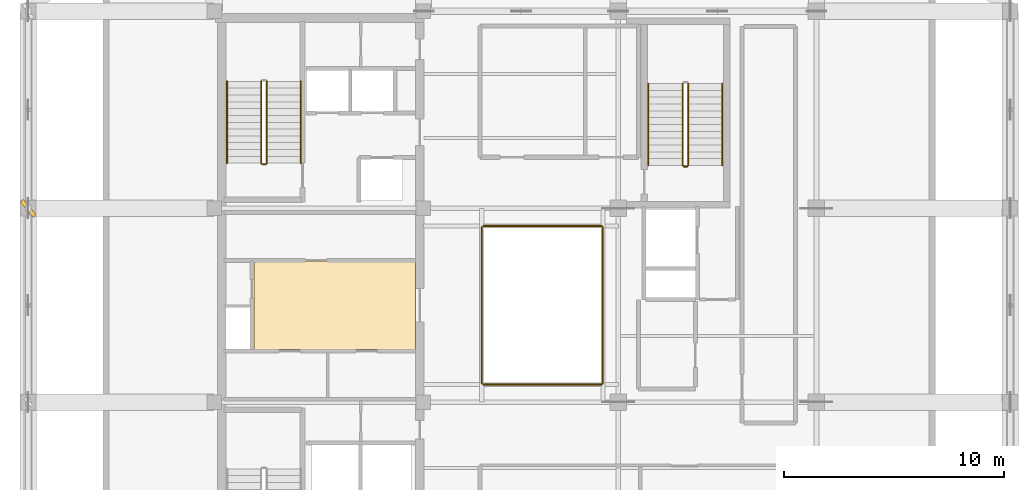
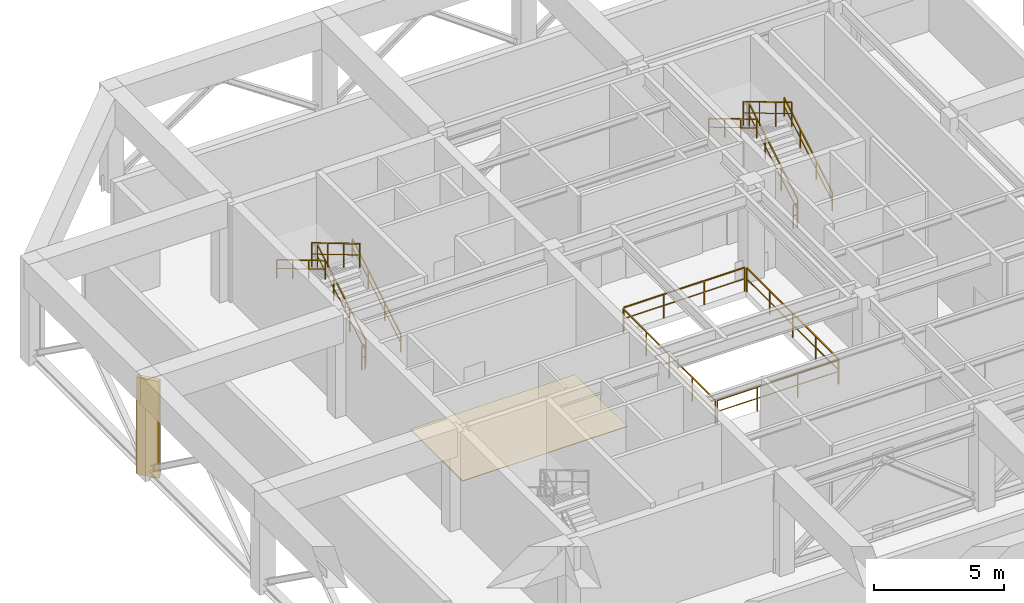
# One storey, part 8 of 10: 14 railings, 1 covering, 1 shading device.
"""IFC4 building model written with IfcOpenShell, lengths in metres."""

from ifc_helpers import new_model, si_unit, direction, frame, origin, origin_2d, place, context, subcontext, project, spatial, polyline, rectangle, outline, extrude, material, layer, layer_set, type_object, element, save


model = new_model("IFC4")

# Units and contexts
model_context = context("Model", 3, precision=1e-05, world=origin(), true_north=direction((0.0, 1.0)))
body_context = subcontext(model_context, "Body", "Model", "MODEL_VIEW")
ifc_project = project(units=[si_unit("LENGTHUNIT", "METRE"), si_unit("AREAUNIT", "SQUARE_METRE"), si_unit("VOLUMEUNIT", "CUBIC_METRE"), si_unit("PLANEANGLEUNIT", "RADIAN"), si_unit("MASSUNIT", "GRAM", prefix="KILO")], contexts=[model_context])

# Site, building, storey
site_placement = place(None, origin())
site = spatial("IfcSite", under=ifc_project, at=site_placement, CompositionType="ELEMENT")
building_placement = place(site_placement, origin())
building = spatial("IfcBuilding", under=site, at=building_placement, Name="Kundavana Baori Tower", CompositionType="ELEMENT")
storey_placement = place(building_placement, frame((0.0, 0.0, 307.699951171875)))
storey = spatial("IfcBuildingStorey", under=building, at=storey_placement, Name="L76", CompositionType="ELEMENT", Elevation=307.699951171875)

# Covering
ifc_material_1 = material(Name="Honed Kota Stone and Terrazzo Flooring", Category="masonry")
ifc_layer = layer(ifc_material_1, 0.030029296875, Name="COV-INT-FLR")
ifc_layer_set = layer_set([ifc_layer], Name="Honed Kota Stone and Terrazzo Flooring")
covering_type = type_object("IfcCoveringType", Name="COV-INT-FLR", PredefinedType="FLOORING", material=ifc_layer_set)
covering_placement = place(storey_placement, origin())
element("IfcCovering", 1, at=covering_placement, inside=storey, type_object=covering_type, Name="L76 Core Lift Lobby Kota Stone Flooring", PredefinedType="FLOORING", context=body_context, shape_type="SweptSolid", body=[
    extrude(outline(polyline([(17.25, 26.580078125), (24.580078125, 26.580078125), (24.580078125, 30.60009765625), (17.25, 30.60009765625), (17.25, 26.580078125)])), origin(), (0.0, 0.0, 1.0), 0.030029296875),
])

# Railings
ifc_material_2 = material(Name="Architectural Patinated Bronze Metalwork")
railing_type_1 = type_object("IfcRailingType", Name="RL-GRD-1150", PredefinedType="GUARDRAIL", material=ifc_material_2)
railing_1_placement = place(storey_placement, frame((17.840087890625, 35.050048828125, 0.1845703125)))
element("IfcRailing", 2, at=railing_1_placement, inside=storey, type_object=railing_type_1, Name="L76 ST2 stair guard 1", PredefinedType="GUARDRAIL", context=body_context, shape_type="SweptSolid", body=[
    extrude(rectangle(XDim=0.048095703125, YDim=0.048095703125, at=origin_2d()), frame((0.0, 0.0, 1.1259765625), z_axis=(0.0, 0.859160091256, 0.511706886404), x_axis=(-1.0, 0.0, 0.0)), (0.0, 0.0, 1.0), 4.329833984375),
    extrude(rectangle(XDim=0.03125, YDim=0.03125, at=origin_2d()), frame((0.0, 0.0, 0.597900390625), z_axis=(0.0, 0.859160091256, 0.511706886404), x_axis=(-1.0, 0.0, 0.0)), (0.0, 0.0, 1.0), 4.329833984375),
    extrude(rectangle(XDim=0.0419921875, YDim=0.0419921875, at=origin_2d()), origin(), (0.0, 0.0, 1.0), 1.101806640625),
    extrude(rectangle(XDim=0.0419921875, YDim=0.0419921875, at=origin_2d()), frame((0.0, 1.239990234375, 0.738525390625)), (0.0, 0.0, 1.0), 1.101806640625),
    extrude(rectangle(XDim=0.0419921875, YDim=0.0419921875, at=origin_2d()), frame((0.0, 2.47998046875, 1.47705078125)), (0.0, 0.0, 1.0), 1.101806640625),
    extrude(rectangle(XDim=0.0419921875, YDim=0.0419921875, at=origin_2d()), frame((0.0, 3.719970703125, 2.215576171875)), (0.0, 0.0, 1.0), 1.101806640625),
])
railing_2_placement = place(storey_placement, frame((17.580078125, 38.77001953125, 2.584716796875)))
element("IfcRailing", 3, at=railing_2_placement, inside=storey, type_object=railing_type_1, Name="L76 ST2 stair guard 3", PredefinedType="GUARDRAIL", context=body_context, shape_type="SweptSolid", body=[
    extrude(rectangle(XDim=0.048095703125, YDim=0.048095703125, at=origin_2d()), frame((0.0, 0.0, 1.1259765625), z_axis=(0.0, -0.859184880589, 0.511665262615), x_axis=(1.0, 0.0, 0.0)), (0.0, 0.0, 1.0), 4.32958984375),
    extrude(rectangle(XDim=0.03125, YDim=0.03125, at=origin_2d()), frame((0.0, 0.0, 0.597900390625), z_axis=(0.0, -0.859184880589, 0.511665262615), x_axis=(1.0, 0.0, 0.0)), (0.0, 0.0, 1.0), 4.32958984375),
    extrude(rectangle(XDim=0.0419921875, YDim=0.0419921875, at=origin_2d()), origin(), (0.0, 0.0, 1.0), 1.101806640625),
    extrude(rectangle(XDim=0.0419921875, YDim=0.0419921875, at=origin_2d()), frame((0.0, -1.239990234375, 0.738525390625)), (0.0, 0.0, 1.0), 1.101806640625),
    extrude(rectangle(XDim=0.0419921875, YDim=0.0419921875, at=origin_2d()), frame((0.0, -2.47998046875, 1.476806640625)), (0.0, 0.0, 1.0), 1.101806640625),
    extrude(rectangle(XDim=0.0419921875, YDim=0.0419921875, at=origin_2d()), frame((0.0, -3.719970703125, 2.21533203125)), (0.0, 0.0, 1.0), 1.101806640625),
])
railing_3_placement = place(storey_placement, frame((17.7900390625, 35.0, 0.0)))
element("IfcRailing", 4, at=railing_3_placement, inside=storey, type_object=railing_type_1, Name="L76 ST2 stair guard 4", PredefinedType="GUARDRAIL", context=body_context, shape_type="SweptSolid", body=[
    extrude(rectangle(XDim=0.048095703125, YDim=0.048095703125, at=origin_2d()), frame((0.0, 0.0, 1.1259765625), z_axis=(-1.0, 0.0, 0.0), x_axis=(0.0, -1.0, 0.0)), (0.0, 0.0, 1.0), 0.16015625),
    extrude(rectangle(XDim=0.03125, YDim=0.03125, at=origin_2d()), frame((0.0, 0.0, 0.597900390625), z_axis=(-1.0, 0.0, 0.0), x_axis=(0.0, -1.0, 0.0)), (0.0, 0.0, 1.0), 0.16015625),
    extrude(rectangle(XDim=0.0419921875, YDim=0.0419921875, at=origin_2d()), origin(), (0.0, 0.0, 1.0), 1.101806640625),
    extrude(rectangle(XDim=0.0419921875, YDim=0.0419921875, at=origin_2d()), frame((-0.16015625, 0.0, 0.0)), (0.0, 0.0, 1.0), 1.101806640625),
])
railing_4_placement = place(storey_placement, frame((36.97998046875, 34.949951171875, 0.1845703125)))
element("IfcRailing", 5, at=railing_4_placement, inside=storey, type_object=railing_type_1, Name="L76 ST3 stair guard 1", PredefinedType="GUARDRAIL", context=body_context, shape_type="SweptSolid", body=[
    extrude(rectangle(XDim=0.048095703125, YDim=0.048095703125, at=origin_2d()), frame((0.0, 0.0, 1.1259765625), z_axis=(0.0, 0.859160091256, 0.511706886404), x_axis=(-1.0, 0.0, 0.0)), (0.0, 0.0, 1.0), 4.329833984375),
    extrude(rectangle(XDim=0.03125, YDim=0.03125, at=origin_2d()), frame((0.0, 0.0, 0.597900390625), z_axis=(0.0, 0.859160091256, 0.511706886404), x_axis=(-1.0, 0.0, 0.0)), (0.0, 0.0, 1.0), 4.329833984375),
    extrude(rectangle(XDim=0.0419921875, YDim=0.0419921875, at=origin_2d()), origin(), (0.0, 0.0, 1.0), 1.101806640625),
    extrude(rectangle(XDim=0.0419921875, YDim=0.0419921875, at=origin_2d()), frame((0.0, 1.239990234375, 0.738525390625)), (0.0, 0.0, 1.0), 1.101806640625),
    extrude(rectangle(XDim=0.0419921875, YDim=0.0419921875, at=origin_2d()), frame((0.0, 2.47998046875, 1.47705078125)), (0.0, 0.0, 1.0), 1.101806640625),
    extrude(rectangle(XDim=0.0419921875, YDim=0.0419921875, at=origin_2d()), frame((0.0, 3.719970703125, 2.215576171875)), (0.0, 0.0, 1.0), 1.101806640625),
])
railing_5_placement = place(storey_placement, frame((36.719970703125, 38.669921875, 2.584716796875)))
element("IfcRailing", 6, at=railing_5_placement, inside=storey, type_object=railing_type_1, Name="L76 ST3 stair guard 3", PredefinedType="GUARDRAIL", context=body_context, shape_type="SweptSolid", body=[
    extrude(rectangle(XDim=0.048095703125, YDim=0.048095703125, at=origin_2d()), frame((0.0, 0.0, 1.1259765625), z_axis=(0.0, -0.859184880589, 0.511665262615), x_axis=(1.0, 0.0, 0.0)), (0.0, 0.0, 1.0), 4.32958984375),
    extrude(rectangle(XDim=0.03125, YDim=0.03125, at=origin_2d()), frame((0.0, 0.0, 0.597900390625), z_axis=(0.0, -0.859184880589, 0.511665262615), x_axis=(1.0, 0.0, 0.0)), (0.0, 0.0, 1.0), 4.32958984375),
    extrude(rectangle(XDim=0.0419921875, YDim=0.0419921875, at=origin_2d()), origin(), (0.0, 0.0, 1.0), 1.101806640625),
    extrude(rectangle(XDim=0.0419921875, YDim=0.0419921875, at=origin_2d()), frame((0.0, -1.239990234375, 0.738525390625)), (0.0, 0.0, 1.0), 1.101806640625),
    extrude(rectangle(XDim=0.0419921875, YDim=0.0419921875, at=origin_2d()), frame((0.0, -2.47998046875, 1.476806640625)), (0.0, 0.0, 1.0), 1.101806640625),
    extrude(rectangle(XDim=0.0419921875, YDim=0.0419921875, at=origin_2d()), frame((0.0, -3.719970703125, 2.21533203125)), (0.0, 0.0, 1.0), 1.101806640625),
])
railing_6_placement = place(storey_placement, frame((36.929931640625, 34.89990234375, 0.0)))
element("IfcRailing", 7, at=railing_6_placement, inside=storey, type_object=railing_type_1, Name="L76 ST3 stair guard 4", PredefinedType="GUARDRAIL", context=body_context, shape_type="SweptSolid", body=[
    extrude(rectangle(XDim=0.048095703125, YDim=0.048095703125, at=origin_2d()), frame((0.0, 0.0, 1.1259765625), z_axis=(-1.0, 0.0, 0.0), x_axis=(0.0, -1.0, 0.0)), (0.0, 0.0, 1.0), 0.159912109375),
    extrude(rectangle(XDim=0.03125, YDim=0.03125, at=origin_2d()), frame((0.0, 0.0, 0.597900390625), z_axis=(-1.0, 0.0, 0.0), x_axis=(0.0, -1.0, 0.0)), (0.0, 0.0, 1.0), 0.159912109375),
    extrude(rectangle(XDim=0.0419921875, YDim=0.0419921875, at=origin_2d()), origin(), (0.0, 0.0, 1.0), 1.101806640625),
    extrude(rectangle(XDim=0.0419921875, YDim=0.0419921875, at=origin_2d()), frame((-0.159912109375, 0.0, 0.0)), (0.0, 0.0, 1.0), 1.101806640625),
])
railing_7_placement = place(storey_placement, frame((27.659912109375, 25.0, 0.0)))
element("IfcRailing", 8, at=railing_7_placement, inside=storey, type_object=railing_type_1, Name="L76 Atrium Void Perimeter Guardrail S", PredefinedType="GUARDRAIL", context=body_context, shape_type="SweptSolid", body=[
    extrude(rectangle(XDim=0.048095703125, YDim=0.048095703125, at=origin_2d()), frame((0.0, 0.0, 1.1259765625), z_axis=(1.0, 0.0, 0.0), x_axis=(0.0, 1.0, 0.0)), (0.0, 0.0, 1.0), 5.380126953125),
    extrude(rectangle(XDim=0.03125, YDim=0.03125, at=origin_2d()), frame((0.0, 0.0, 0.597900390625), z_axis=(1.0, 0.0, 0.0), x_axis=(0.0, 1.0, 0.0)), (0.0, 0.0, 1.0), 5.380126953125),
    extrude(rectangle(XDim=0.0419921875, YDim=0.0419921875, at=origin_2d()), origin(), (0.0, 0.0, 1.0), 1.101806640625),
    extrude(rectangle(XDim=0.0419921875, YDim=0.0419921875, at=origin_2d()), frame((1.79345703125, 0.0, 0.0)), (0.0, 0.0, 1.0), 1.101806640625),
    extrude(rectangle(XDim=0.0419921875, YDim=0.0419921875, at=origin_2d()), frame((3.586669921875, 0.0, 0.0)), (0.0, 0.0, 1.0), 1.101806640625),
    extrude(rectangle(XDim=0.0419921875, YDim=0.0419921875, at=origin_2d()), frame((5.380126953125, 0.0, 0.0)), (0.0, 0.0, 1.0), 1.101806640625),
])
railing_8_placement = place(storey_placement, frame((33.10009765625, 25.06005859375, 0.0)))
element("IfcRailing", 9, at=railing_8_placement, inside=storey, type_object=railing_type_1, Name="L76 Atrium Void Perimeter Guardrail E", PredefinedType="GUARDRAIL", context=body_context, shape_type="SweptSolid", body=[
    extrude(rectangle(XDim=0.048095703125, YDim=0.048095703125, at=origin_2d()), frame((0.0, 0.0, 1.1259765625), z_axis=(0.0, 1.0, 0.0), x_axis=(-1.0, 0.0, 0.0)), (0.0, 0.0, 1.0), 7.079833984375),
    extrude(rectangle(XDim=0.03125, YDim=0.03125, at=origin_2d()), frame((0.0, 0.0, 0.597900390625), z_axis=(0.0, 1.0, 0.0), x_axis=(-1.0, 0.0, 0.0)), (0.0, 0.0, 1.0), 7.079833984375),
    extrude(rectangle(XDim=0.0419921875, YDim=0.0419921875, at=origin_2d()), origin(), (0.0, 0.0, 1.0), 1.101806640625),
    extrude(rectangle(XDim=0.0419921875, YDim=0.0419921875, at=origin_2d()), frame((0.0, 1.77001953125, 0.0)), (0.0, 0.0, 1.0), 1.101806640625),
    extrude(rectangle(XDim=0.0419921875, YDim=0.0419921875, at=origin_2d()), frame((0.0, 3.5400390625, 0.0)), (0.0, 0.0, 1.0), 1.101806640625),
    extrude(rectangle(XDim=0.0419921875, YDim=0.0419921875, at=origin_2d()), frame((0.0, 5.309814453125, 0.0)), (0.0, 0.0, 1.0), 1.101806640625),
    extrude(rectangle(XDim=0.0419921875, YDim=0.0419921875, at=origin_2d()), frame((0.0, 7.079833984375, 0.0)), (0.0, 0.0, 1.0), 1.101806640625),
])
railing_9_placement = place(storey_placement, frame((33.0400390625, 32.199951171875, 0.0)))
element("IfcRailing", 10, at=railing_9_placement, inside=storey, type_object=railing_type_1, Name="L76 Atrium Void Perimeter Guardrail N", PredefinedType="GUARDRAIL", context=body_context, shape_type="SweptSolid", body=[
    extrude(rectangle(XDim=0.048095703125, YDim=0.048095703125, at=origin_2d()), frame((0.0, 0.0, 1.1259765625), z_axis=(-1.0, 0.0, 0.0), x_axis=(0.0, -1.0, 0.0)), (0.0, 0.0, 1.0), 5.380126953125),
    extrude(rectangle(XDim=0.03125, YDim=0.03125, at=origin_2d()), frame((0.0, 0.0, 0.597900390625), z_axis=(-1.0, 0.0, 0.0), x_axis=(0.0, -1.0, 0.0)), (0.0, 0.0, 1.0), 5.380126953125),
    extrude(rectangle(XDim=0.0419921875, YDim=0.0419921875, at=origin_2d()), origin(), (0.0, 0.0, 1.0), 1.101806640625),
    extrude(rectangle(XDim=0.0419921875, YDim=0.0419921875, at=origin_2d()), frame((-1.79345703125, 0.0, 0.0)), (0.0, 0.0, 1.0), 1.101806640625),
    extrude(rectangle(XDim=0.0419921875, YDim=0.0419921875, at=origin_2d()), frame((-3.586669921875, 0.0, 0.0)), (0.0, 0.0, 1.0), 1.101806640625),
    extrude(rectangle(XDim=0.0419921875, YDim=0.0419921875, at=origin_2d()), frame((-5.380126953125, 0.0, 0.0)), (0.0, 0.0, 1.0), 1.101806640625),
])
railing_10_placement = place(storey_placement, frame((27.60009765625, 32.139892578125, 0.0)))
element("IfcRailing", 11, at=railing_10_placement, inside=storey, type_object=railing_type_1, Name="L76 Atrium Void Perimeter Guardrail W", PredefinedType="GUARDRAIL", context=body_context, shape_type="SweptSolid", body=[
    extrude(rectangle(XDim=0.048095703125, YDim=0.048095703125, at=origin_2d()), frame((0.0, 0.0, 1.1259765625), z_axis=(0.0, -1.0, 0.0), x_axis=(1.0, 0.0, 0.0)), (0.0, 0.0, 1.0), 7.079833984375),
    extrude(rectangle(XDim=0.03125, YDim=0.03125, at=origin_2d()), frame((0.0, 0.0, 0.597900390625), z_axis=(0.0, -1.0, 0.0), x_axis=(1.0, 0.0, 0.0)), (0.0, 0.0, 1.0), 7.079833984375),
    extrude(rectangle(XDim=0.0419921875, YDim=0.0419921875, at=origin_2d()), origin(), (0.0, 0.0, 1.0), 1.101806640625),
    extrude(rectangle(XDim=0.0419921875, YDim=0.0419921875, at=origin_2d()), frame((0.0, -1.77001953125, 0.0)), (0.0, 0.0, 1.0), 1.101806640625),
    extrude(rectangle(XDim=0.0419921875, YDim=0.0419921875, at=origin_2d()), frame((0.0, -3.5400390625, 0.0)), (0.0, 0.0, 1.0), 1.101806640625),
    extrude(rectangle(XDim=0.0419921875, YDim=0.0419921875, at=origin_2d()), frame((0.0, -5.309814453125, 0.0)), (0.0, 0.0, 1.0), 1.101806640625),
    extrude(rectangle(XDim=0.0419921875, YDim=0.0419921875, at=origin_2d()), frame((0.0, -7.079833984375, 0.0)), (0.0, 0.0, 1.0), 1.101806640625),
])
ifc_material_3 = material(Name="Architectural Patinated Bronze Metalwork")
railing_type_2 = type_object("IfcRailingType", Name="RL-HND-920", PredefinedType="HANDRAIL", material=ifc_material_3)
railing_11_placement = place(storey_placement, frame((19.389892578125, 35.050048828125, 0.1845703125)))
element("IfcRailing", 12, at=railing_11_placement, inside=storey, type_object=railing_type_2, Name="L76 ST2 stair handrail 1", PredefinedType="HANDRAIL", context=body_context, shape_type="SweptSolid", body=[
    extrude(rectangle(XDim=0.048095703125, YDim=0.048095703125, at=origin_2d()), frame((0.0, 0.0, 0.8759765625), z_axis=(0.0, 0.859160091256, 0.511706886404), x_axis=(-1.0, 0.0, 0.0)), (0.0, 0.0, 1.0), 4.329833984375),
    extrude(rectangle(XDim=0.03125, YDim=0.03125, at=origin_2d()), frame((0.0, 0.0, 0.468017578125), z_axis=(0.0, 0.859160091256, 0.511706886404), x_axis=(-1.0, 0.0, 0.0)), (0.0, 0.0, 1.0), 4.329833984375),
    extrude(rectangle(XDim=0.0419921875, YDim=0.0419921875, at=origin_2d()), origin(), (0.0, 0.0, 1.0), 0.851806640625),
    extrude(rectangle(XDim=0.0419921875, YDim=0.0419921875, at=origin_2d()), frame((0.0, 1.239990234375, 0.738525390625)), (0.0, 0.0, 1.0), 0.851806640625),
    extrude(rectangle(XDim=0.0419921875, YDim=0.0419921875, at=origin_2d()), frame((0.0, 2.47998046875, 1.47705078125)), (0.0, 0.0, 1.0), 0.851806640625),
    extrude(rectangle(XDim=0.0419921875, YDim=0.0419921875, at=origin_2d()), frame((0.0, 3.719970703125, 2.215576171875)), (0.0, 0.0, 1.0), 0.851806640625),
])
railing_12_placement = place(storey_placement, frame((16.030029296875, 38.77001953125, 2.584716796875)))
element("IfcRailing", 13, at=railing_12_placement, inside=storey, type_object=railing_type_2, Name="L76 ST2 stair handrail 2", PredefinedType="HANDRAIL", context=body_context, shape_type="SweptSolid", body=[
    extrude(rectangle(XDim=0.048095703125, YDim=0.048095703125, at=origin_2d()), frame((0.0, 0.0, 0.8759765625), z_axis=(0.0, -0.859184880589, 0.511665262615), x_axis=(1.0, 0.0, 0.0)), (0.0, 0.0, 1.0), 4.32958984375),
    extrude(rectangle(XDim=0.03125, YDim=0.03125, at=origin_2d()), frame((0.0, 0.0, 0.468017578125), z_axis=(0.0, -0.859184880589, 0.511665262615), x_axis=(1.0, 0.0, 0.0)), (0.0, 0.0, 1.0), 4.32958984375),
    extrude(rectangle(XDim=0.0419921875, YDim=0.0419921875, at=origin_2d()), origin(), (0.0, 0.0, 1.0), 0.851806640625),
    extrude(rectangle(XDim=0.0419921875, YDim=0.0419921875, at=origin_2d()), frame((0.0, -1.239990234375, 0.738525390625)), (0.0, 0.0, 1.0), 0.851806640625),
    extrude(rectangle(XDim=0.0419921875, YDim=0.0419921875, at=origin_2d()), frame((0.0, -2.47998046875, 1.476806640625)), (0.0, 0.0, 1.0), 0.851806640625),
    extrude(rectangle(XDim=0.0419921875, YDim=0.0419921875, at=origin_2d()), frame((0.0, -3.719970703125, 2.21533203125)), (0.0, 0.0, 1.0), 0.851806640625),
])
railing_13_placement = place(storey_placement, frame((38.530029296875, 34.949951171875, 0.1845703125)))
element("IfcRailing", 14, at=railing_13_placement, inside=storey, type_object=railing_type_2, Name="L76 ST3 stair handrail 1", PredefinedType="HANDRAIL", context=body_context, shape_type="SweptSolid", body=[
    extrude(rectangle(XDim=0.048095703125, YDim=0.048095703125, at=origin_2d()), frame((0.0, 0.0, 0.8759765625), z_axis=(0.0, 0.859160091256, 0.511706886404), x_axis=(-1.0, 0.0, 0.0)), (0.0, 0.0, 1.0), 4.329833984375),
    extrude(rectangle(XDim=0.03125, YDim=0.03125, at=origin_2d()), frame((0.0, 0.0, 0.468017578125), z_axis=(0.0, 0.859160091256, 0.511706886404), x_axis=(-1.0, 0.0, 0.0)), (0.0, 0.0, 1.0), 4.329833984375),
    extrude(rectangle(XDim=0.0419921875, YDim=0.0419921875, at=origin_2d()), origin(), (0.0, 0.0, 1.0), 0.851806640625),
    extrude(rectangle(XDim=0.0419921875, YDim=0.0419921875, at=origin_2d()), frame((0.0, 1.239990234375, 0.738525390625)), (0.0, 0.0, 1.0), 0.851806640625),
    extrude(rectangle(XDim=0.0419921875, YDim=0.0419921875, at=origin_2d()), frame((0.0, 2.47998046875, 1.47705078125)), (0.0, 0.0, 1.0), 0.851806640625),
    extrude(rectangle(XDim=0.0419921875, YDim=0.0419921875, at=origin_2d()), frame((0.0, 3.719970703125, 2.215576171875)), (0.0, 0.0, 1.0), 0.851806640625),
])
railing_14_placement = place(storey_placement, frame((35.169921875, 38.669921875, 2.584716796875)))
element("IfcRailing", 15, at=railing_14_placement, inside=storey, type_object=railing_type_2, Name="L76 ST3 stair handrail 2", PredefinedType="HANDRAIL", context=body_context, shape_type="SweptSolid", body=[
    extrude(rectangle(XDim=0.048095703125, YDim=0.048095703125, at=origin_2d()), frame((0.0, 0.0, 0.8759765625), z_axis=(0.0, -0.859184880589, 0.511665262615), x_axis=(1.0, 0.0, 0.0)), (0.0, 0.0, 1.0), 4.32958984375),
    extrude(rectangle(XDim=0.03125, YDim=0.03125, at=origin_2d()), frame((0.0, 0.0, 0.468017578125), z_axis=(0.0, -0.859184880589, 0.511665262615), x_axis=(1.0, 0.0, 0.0)), (0.0, 0.0, 1.0), 4.32958984375),
    extrude(rectangle(XDim=0.0419921875, YDim=0.0419921875, at=origin_2d()), origin(), (0.0, 0.0, 1.0), 0.851806640625),
    extrude(rectangle(XDim=0.0419921875, YDim=0.0419921875, at=origin_2d()), frame((0.0, -1.239990234375, 0.738525390625)), (0.0, 0.0, 1.0), 0.851806640625),
    extrude(rectangle(XDim=0.0419921875, YDim=0.0419921875, at=origin_2d()), frame((0.0, -2.47998046875, 1.476806640625)), (0.0, 0.0, 1.0), 0.851806640625),
    extrude(rectangle(XDim=0.0419921875, YDim=0.0419921875, at=origin_2d()), frame((0.0, -3.719970703125, 2.21533203125)), (0.0, 0.0, 1.0), 0.851806640625),
])

# Shading device
ifc_material_4 = material(Name="Red-Buff Dholpur Sandstone Cladding on Concrete C40/50", Category="masonry")
shading_device_type = type_object("IfcShadingDeviceType", Name="SHD-FIN-920", PredefinedType="JALOUSIE", material=ifc_material_4)
shading_device_placement = place(storey_placement, frame((7.0, 33.0, 0.0), z_axis=(0.0, 0.0, 1.0), x_axis=(0.764021289334, 0.645191033296, 0.0)))
element("IfcShadingDevice", 16, at=shading_device_placement, inside=storey, type_object=shading_device_type, Name="L76 Sweeping Dholpur Sandstone Facade Fin 7", PredefinedType="JALOUSIE", context=body_context, shape_type="SweptSolid", body=[
    extrude(rectangle(XDim=0.179931640625, YDim=0.919921875, at=origin_2d()), origin(), (0.0, 0.0, 1.0), 4.56005859375),
])

save(model, "model.ifc")
